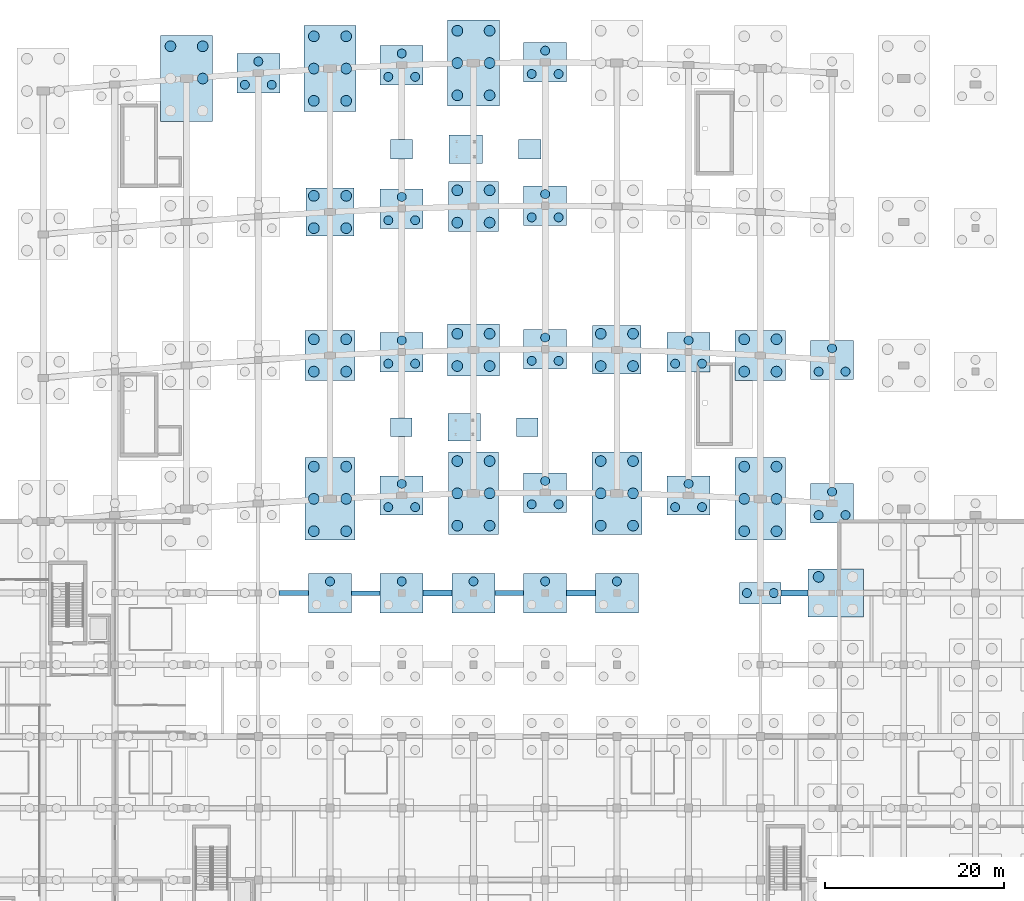
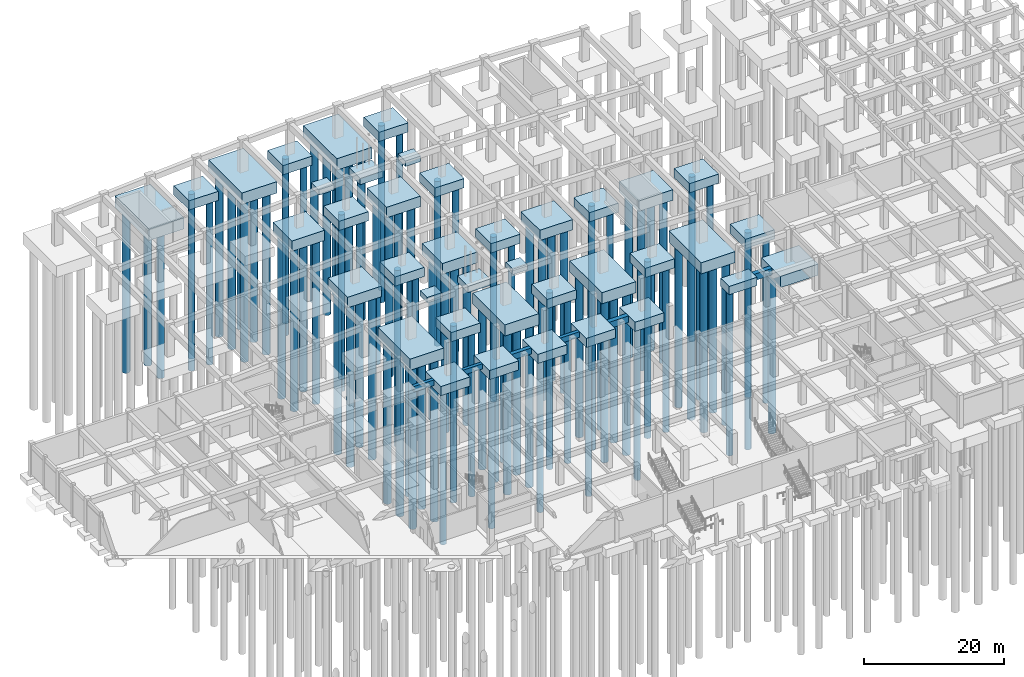
# One storey, part 5 of 45: 110 piles, 45 footings.
"""IFC4 building model written with IfcOpenShell, lengths in metres."""

import ifcopenshell
import ifcopenshell.guid

model = None  # the IFC model being written
_history = None  # IfcOwnerHistory: only IFC2X3 demands one
_inside = {}  # id of a spatial element -> (the spatial element, [elements in it])
_under = {}  # id of a project, library or spatial element -> (it, [spatial elements below it])
_declared = {}  # id of a project -> (the project, [libraries it declares])
_typed = {}  # id of a type object -> (the type object, [elements of that type])
_made_of = {}  # id of a material, layer set ... -> (it, [elements and type objects made of it])


def new_model(schema):
    """Start an empty IFC model of exactly this schema.

    Asked for "IFC4X3", IfcOpenShell would pick the latest addendum, in which some entities
    have other attributes; the version numbers below select the first issue.
    IFC2X3 requires an IfcOwnerHistory on every rooted entity: one is made here for all.
    """
    global model, _history
    if schema == "IFC4X3":
        model = ifcopenshell.file(schema_version=(4, 3, 0, 0))
    else:
        model = ifcopenshell.file(schema=schema)
    _inside.clear()
    _under.clear()
    _declared.clear()
    _typed.clear()
    _made_of.clear()
    _history = None
    if model.schema == "IFC2X3":
        org = make("IfcOrganization", Name="unknown")
        user = make(
            "IfcPersonAndOrganization",
            ThePerson=make("IfcPerson", FamilyName="unknown"),
            TheOrganization=org,
        )
        app = make(
            "IfcApplication",
            ApplicationDeveloper=org,
            Version="unknown",
            ApplicationFullName="unknown",
            ApplicationIdentifier="unknown",
        )
        _history = make(
            "IfcOwnerHistory",
            OwningUser=user,
            OwningApplication=app,
            ChangeAction="ADDED",
            CreationDate=0,
        )
    return model


def make(cls, **values):
    """One entity of the class cls with the attributes given. An attribute that is None is left unset."""
    return model.create_entity(
        cls, **{name: value for name, value in values.items() if value is not None}
    )


def rooted(cls, **values):
    """An entity with a GlobalId (a new one), such as an element, a storey or a relation."""
    return make(cls, GlobalId=ifcopenshell.guid.new(), OwnerHistory=_history, **values)


def si_unit(unit_type, name, prefix=None):
    """IfcSIUnit, for example si_unit("LENGTHUNIT", "METRE", prefix="MILLI")."""
    return make("IfcSIUnit", UnitType=unit_type, Prefix=prefix, Name=name)


def assignment(units):
    """IfcUnitAssignment: the units of a project."""
    return None if units is None else make("IfcUnitAssignment", Units=units)


def point(xyz):
    """IfcCartesianPoint."""
    return None if xyz is None else make("IfcCartesianPoint", Coordinates=xyz)


def direction(xyz):
    """IfcDirection."""
    return None if xyz is None else make("IfcDirection", DirectionRatios=xyz)


def frame(location, z_axis=None, x_axis=None):
    """IfcAxis2Placement3D, a coordinate frame: its origin and axes. An axis left out is left unset."""
    return make(
        "IfcAxis2Placement3D",
        Location=point(location),
        Axis=direction(z_axis),
        RefDirection=direction(x_axis),
    )


def frame_2d(location, x_axis=None):
    """IfcAxis2Placement2D, a coordinate frame in the plane: its origin and x axis."""
    return make(
        "IfcAxis2Placement2D", Location=point(location), RefDirection=direction(x_axis)
    )


def origin():
    """The frame at (0, 0, 0) with its axes left unset."""
    return frame((0.0, 0.0, 0.0))


def origin_2d():
    """The frame at (0, 0) in the plane with its x axis left unset."""
    return frame_2d((0.0, 0.0))


def place(relative_to, where):
    """IfcLocalPlacement: puts the frame where relative to a parent placement (None: the world)."""
    return make(
        "IfcLocalPlacement", PlacementRelTo=relative_to, RelativePlacement=where
    )


def context(
    kind, dimensions, precision=None, world=None, true_north=None, identifier=None
):
    """IfcGeometricRepresentationContext, for example the 3D "Model" context."""
    return make(
        "IfcGeometricRepresentationContext",
        ContextIdentifier=identifier,
        ContextType=kind,
        CoordinateSpaceDimension=dimensions,
        Precision=precision,
        WorldCoordinateSystem=world,
        TrueNorth=true_north,
    )


def subcontext(parent, identifier, kind, view, scale=None):
    """IfcGeometricRepresentationSubContext, for example "Body" below "Model"."""
    return make(
        "IfcGeometricRepresentationSubContext",
        ContextIdentifier=identifier,
        ContextType=kind,
        ParentContext=parent,
        TargetScale=scale,
        TargetView=view,
    )


def project(units=None, contexts=None):
    """IfcProject with its units and contexts."""
    return rooted(
        "IfcProject",
        Name="project",
        RepresentationContexts=contexts,
        UnitsInContext=assignment(units),
    )


def spatial(cls, under=None, at=None, **own):
    """A site, building, storey or space (cls), placed at a placement, below another one or the project."""
    s = rooted(cls, ObjectPlacement=at, **own)
    if under is not None:
        _under.setdefault(under.id(), (under, []))[1].append(s)
    return s


def profile(cls, at=None, kind="AREA", **sizes):
    """A parametric profile (cls). Its sizes go by their IFC names, for example OverallWidth=200.0."""
    return make(cls, ProfileType=kind, Position=at, **sizes)


def rectangle(**sizes):
    """IfcRectangleProfileDef."""
    return profile("IfcRectangleProfileDef", **sizes)


def circle(**sizes):
    """IfcCircleProfileDef."""
    return profile("IfcCircleProfileDef", **sizes)


def extrude(swept, where, along, depth):
    """IfcExtrudedAreaSolid: the profile swept, set in the frame where, extruded along a direction by depth."""
    return make(
        "IfcExtrudedAreaSolid",
        SweptArea=swept,
        Position=where,
        ExtrudedDirection=direction(along),
        Depth=depth,
    )


def shape(context_of_items, identifier, shape_type, items):
    """IfcShapeRepresentation: the items that make up one representation, for example the "Body"."""
    return make(
        "IfcShapeRepresentation",
        ContextOfItems=context_of_items,
        RepresentationIdentifier=identifier,
        RepresentationType=shape_type,
        Items=items,
    )


def material(Name=None, Category=None):
    """IfcMaterial."""
    return make("IfcMaterial", Name=Name, Category=Category)


def material_profile(
    of_material, cross_section, Name=None, Category=None, Priority=None
):
    """IfcMaterialProfile: a cross section and its material."""
    return make(
        "IfcMaterialProfile",
        Name=Name,
        Material=of_material,
        Profile=cross_section,
        Priority=Priority,
        Category=Category,
    )


def profile_set(profiles, Name=None, composite=None):
    """IfcMaterialProfileSet."""
    return make(
        "IfcMaterialProfileSet",
        Name=Name,
        MaterialProfiles=profiles,
        CompositeProfile=composite,
    )


def made_of(thing, what):
    """Note that an element or type object is made of a material, layer set ...; save() writes the relation."""
    if what is not None:
        _made_of.setdefault(what.id(), (what, []))[1].append(thing)
    return thing


def type_object(cls, material=None, **own):
    """A type object (cls), such as IfcWallType, which elements share."""
    return made_of(rooted(cls, **own), material)


def element(
    cls,
    number,
    at=None,
    inside=None,
    cuts=None,
    type_object=None,
    material=None,
    context=None,
    identifier="Body",
    shape_type=None,
    held_by="IfcProductDefinitionShape",
    body=None,
    shapes=None,
    **own,
):
    """One element of the class cls, such as IfcWall. Its Tag is "e" and its number.

    at: its placement. inside: the storey or other place that contains it. cuts: it is an
    opening in that element (IfcRelVoidsElement). A single representation is given by context,
    identifier, shape_type and body (its items); several are given by shapes. held_by: the class
    of the entity that holds the representations. save() writes the other relations.
    """
    e = rooted(cls, Tag="e%d" % number, ObjectPlacement=at, **own)
    if body is not None:
        shapes = [shape(context, identifier, shape_type, body)]
    if shapes is not None:
        e.Representation = make(held_by, Representations=shapes)
    if inside is not None:
        _inside.setdefault(inside.id(), (inside, []))[1].append(e)
    if cuts is not None:
        rooted(
            "IfcRelVoidsElement", RelatingBuildingElement=cuts, RelatedOpeningElement=e
        )
    if type_object is not None:
        _typed.setdefault(type_object.id(), (type_object, []))[1].append(e)
    return made_of(e, material)


def aggregate(whole, parts):
    """IfcRelAggregates: a whole, such as a stair, and the parts it consists of."""
    return rooted("IfcRelAggregates", RelatingObject=whole, RelatedObjects=parts)


def save(model, path):
    """Write the relations noted so far, then the file.

    IfcRelAggregates (storeys below a building ...), IfcRelContainedInSpatialStructure (elements
    in a storey), IfcRelDefinesByType, IfcRelAssociatesMaterial and IfcRelDeclares: one each for
    every whole, place, type object, material and project.
    """
    for whole, parts in _under.values():
        aggregate(whole, parts)
    for where, things in _inside.values():
        rooted(
            "IfcRelContainedInSpatialStructure",
            RelatedElements=things,
            RelatingStructure=where,
        )
    for kind, things in _typed.values():
        rooted("IfcRelDefinesByType", RelatedObjects=things, RelatingType=kind)
    for what, things in _made_of.values():
        rooted("IfcRelAssociatesMaterial", RelatedObjects=things, RelatingMaterial=what)
    for by, libraries in _declared.values():
        rooted("IfcRelDeclares", RelatingContext=by, RelatedDefinitions=libraries)
    model.write(path)


model = new_model("IFC4")

# Units and contexts
model_context = context("Model", 3, precision=1e-05, world=origin(), true_north=direction((0.0, 1.0)))
body_context = subcontext(model_context, "Body", "Model", "MODEL_VIEW")
ifc_project = project(units=[si_unit("LENGTHUNIT", "METRE"), si_unit("AREAUNIT", "SQUARE_METRE"), si_unit("VOLUMEUNIT", "CUBIC_METRE"), si_unit("PLANEANGLEUNIT", "RADIAN"), si_unit("MASSUNIT", "GRAM", prefix="KILO")], contexts=[model_context])

# Site, building, storey
site_placement = place(None, origin())
site = spatial("IfcSite", under=ifc_project, at=site_placement, CompositionType="ELEMENT")
building_placement = place(site_placement, origin())
building = spatial("IfcBuilding", under=site, at=building_placement, Name="Kenh Van Central Station", CompositionType="ELEMENT")
storey_placement = place(building_placement, frame((0.0, 0.0, -5.39990234375)))
storey = spatial("IfcBuildingStorey", under=building, at=storey_placement, Name="B1", CompositionType="ELEMENT", Elevation=-5.39990234375)

# Footings
ifc_material = material(Name="Concrete C40/50", Category="concrete")
ifc_material_profile_1 = material_profile(ifc_material, rectangle(XDim=0.5, YDim=0.89990234375, at=origin_2d()), Name="RC 500x900")
ifc_profile_set_1 = profile_set([ifc_material_profile_1], Name="Concrete C40/50")
footing_type_1 = type_object("IfcFootingType", Name="FBM-500x900", PredefinedType="FOOTING_BEAM", material=ifc_profile_set_1)
footing_1_placement = place(storey_placement, frame((66.39990234375, 56.0, -0.85009765625), z_axis=(1.0, 0.0, 0.0), x_axis=(0.0, 1.0, 0.0)))
element("IfcFooting", 1, at=footing_1_placement, inside=storey, type_object=footing_type_1, Name="Ground tie beam 094", PredefinedType="FOOTING_BEAM", context=body_context, shape_type="SweptSolid", body=[
    extrude(rectangle(XDim=0.5, YDim=0.89990234375, at=origin_2d()), origin(), (0.0, 0.0, 1.0), 3.2001953125),
])
ifc_material_profile_2 = material_profile(ifc_material, rectangle(XDim=0.550048828125, YDim=0.949951171875, at=origin_2d()), Name="RC 550x950")
ifc_profile_set_2 = profile_set([ifc_material_profile_2], Name="Concrete C40/50")
footing_type_2 = type_object("IfcFootingType", Name="FBM-550x950", PredefinedType="FOOTING_BEAM", material=ifc_profile_set_2)
footing_2_placement = place(storey_placement, frame((58.300048828125, 56.0, -0.875), z_axis=(1.0, 0.0, 0.0), x_axis=(0.0, 1.0, 0.0)))
element("IfcFooting", 2, at=footing_2_placement, inside=storey, type_object=footing_type_2, Name="Ground tie beam 088", PredefinedType="FOOTING_BEAM", context=body_context, shape_type="SweptSolid", body=[
    extrude(rectangle(XDim=0.550048828125, YDim=0.949951171875, at=origin_2d()), origin(), (0.0, 0.0, 1.0), 3.300048828125),
])
footing_3_placement = place(storey_placement, frame((82.39990234375, 56.0, -0.875), z_axis=(1.0, 0.0, 0.0), x_axis=(0.0, 1.0, 0.0)))
element("IfcFooting", 3, at=footing_3_placement, inside=storey, type_object=footing_type_2, Name="Ground tie beam 098", PredefinedType="FOOTING_BEAM", context=body_context, shape_type="SweptSolid", body=[
    extrude(rectangle(XDim=0.550048828125, YDim=0.949951171875, at=origin_2d()), origin(), (0.0, 0.0, 1.0), 3.2001953125),
])
ifc_material_profile_3 = material_profile(ifc_material, rectangle(XDim=0.64990234375, YDim=1.050048828125, at=origin_2d()), Name="RC 650x1050")
ifc_profile_set_3 = profile_set([ifc_material_profile_3], Name="Concrete C40/50")
footing_type_3 = type_object("IfcFootingType", Name="FBM-650x1050", PredefinedType="FOOTING_BEAM", material=ifc_profile_set_3)
footing_4_placement = place(storey_placement, frame((74.39990234375, 56.0, -0.925048828125), z_axis=(1.0, 0.0, 0.0), x_axis=(0.0, 1.0, 0.0)))
element("IfcFooting", 4, at=footing_4_placement, inside=storey, type_object=footing_type_3, Name="Ground tie beam 096", PredefinedType="FOOTING_BEAM", context=body_context, shape_type="SweptSolid", body=[
    extrude(rectangle(XDim=0.64990234375, YDim=1.050048828125, at=origin_2d()), origin(), (0.0, 0.0, 1.0), 3.2001953125),
])
ifc_material_profile_4 = material_profile(ifc_material, rectangle(XDim=0.699951171875, YDim=1.14990234375, at=origin_2d()), Name="RC 700x1150")
ifc_profile_set_4 = profile_set([ifc_material_profile_4], Name="Concrete C40/50")
footing_type_4 = type_object("IfcFootingType", Name="FBM-700x1150", PredefinedType="FOOTING_BEAM", material=ifc_profile_set_4)
footing_5_placement = place(storey_placement, frame((114.300048828125, 56.0, -0.97509765625), z_axis=(1.0, 0.0, 0.0), x_axis=(0.0, 1.0, 0.0)))
element("IfcFooting", 5, at=footing_5_placement, inside=storey, type_object=footing_type_4, Name="Ground tie beam 090", PredefinedType="FOOTING_BEAM", context=body_context, shape_type="SweptSolid", body=[
    extrude(rectangle(XDim=0.699951171875, YDim=1.14990234375, at=origin_2d()), origin(), (0.0, 0.0, 1.0), 3.0),
])
footing_6_placement = place(storey_placement, frame((90.39990234375, 56.0, -0.97509765625), z_axis=(1.0, 0.0, 0.0), x_axis=(0.0, 1.0, 0.0)))
element("IfcFooting", 6, at=footing_6_placement, inside=storey, type_object=footing_type_4, Name="Ground tie beam 100", PredefinedType="FOOTING_BEAM", context=body_context, shape_type="SweptSolid", body=[
    extrude(rectangle(XDim=0.699951171875, YDim=1.14990234375, at=origin_2d()), origin(), (0.0, 0.0, 1.0), 3.2001953125),
])
footing_type_5 = type_object("IfcFootingType", Name="FCAP-2P-4600x2400x1450", PredefinedType="PILE_CAP", material=ifc_material)
footing_7_placement = place(storey_placement, frame((112.0, 56.0, -1.85009765625), z_axis=(0.0, 0.0, 1.0), x_axis=(1.0, 0.0, 0.0)))
element("IfcFooting", 7, at=footing_7_placement, inside=storey, type_object=footing_type_5, Name="Foundation FDN-177", PredefinedType="PILE_CAP", context=body_context, shape_type="SweptSolid", body=[
    extrude(rectangle(XDim=4.60009765625, YDim=2.39990234375, at=origin_2d()), origin(), (0.0, 0.0, 1.0), 1.449951171875),
])
footing_type_6 = type_object("IfcFootingType", Name="FCAP-3P-4800x4400x1600", PredefinedType="PILE_CAP", material=ifc_material)
for number, where, z_axis, x_axis, name in (
    (8, (56.0, 113.9951171875, -2.000244140625), (0.0, 0.0, 1.0), (1.0, 0.0, 0.0), "Foundation FDN-016"),
    (9, (72.0, 66.883056640625, -2.000244140625), (0.0, 0.0, 1.0), (1.0, 0.0, 0.0), "Foundation FDN-021"),
    (10, (72.0, 82.883056640625, -2.000244140625), (0.0, 0.0, 1.0), (1.0, 0.0, 0.0), "Foundation FDN-022"),
    (11, (72.0, 98.883056640625, -2.000244140625), (0.0, 0.0, 1.0), (1.0, 0.0, 0.0), "Foundation FDN-023"),
    (12, (72.0, 114.883056640625, -2.000244140625), (0.0, 0.0, 1.0), (1.0, 0.0, 0.0), "Foundation FDN-024"),
    (13, (88.0, 67.199951171875, -2.000244140625), (0.0, 0.0, 1.0), (1.0, 0.0, 0.0), "Foundation FDN-029"),
    (14, (88.0, 83.199951171875, -2.000244140625), (0.0, 0.0, 1.0), (1.0, 0.0, 0.0), "Foundation FDN-030"),
    (15, (88.0, 99.199951171875, -2.000244140625), (0.0, 0.0, 1.0), (1.0, 0.0, 0.0), "Foundation FDN-031"),
    (16, (88.0, 115.199951171875, -2.000244140625), (0.0, 0.0, 1.0), (1.0, 0.0, 0.0), "Foundation FDN-032"),
    (17, (104.0, 66.883056640625, -2.000244140625), (0.0, 0.0, 1.0), (1.0, 0.0, 0.0), "Foundation FDN-037"),
    (18, (104.0, 82.883056640625, -2.000244140625), (0.0, 0.0, 1.0), (1.0, 0.0, 0.0), "Foundation FDN-038"),
    (19, (120.0, 65.9951171875, -2.000244140625), (0.0, 0.0, 1.0), (1.0, 0.0, 0.0), "Foundation FDN-045"),
    (20, (120.0, 81.9951171875, -2.000244140625), (0.0, 0.0, 1.0), (1.0, 0.0, 0.0), "Foundation FDN-046"),
    (21, (64.0, 56.0, -2.000244140625), (0.0, 0.0, 1.0), (1.0, 0.0, 0.0), "Foundation FDN-181"),
    (22, (72.0, 56.0, -2.000244140625), (0.0, 0.0, 1.0), (1.0, 0.0, 0.0), "Foundation FDN-183"),
    (23, (80.0, 56.0, -2.000244140625), (0.0, 0.0, 1.0), (1.0, 0.0, 0.0), "Foundation FDN-185"),
    (24, (88.0, 56.0, -2.000244140625), (0.0, 0.0, 1.0), (1.0, 0.0, 0.0), "Foundation FDN-187"),
    (25, (96.0, 56.0, -2.000244140625), (0.0, 0.0, 1.0), (1.0, 0.0, 0.0), "Foundation FDN-189"),
):
    element("IfcFooting", number, at=place(storey_placement, frame(where, z_axis=z_axis, x_axis=x_axis)), inside=storey, type_object=footing_type_6, Name=name, PredefinedType="PILE_CAP", context=body_context, shape_type="SweptSolid", body=[
        extrude(rectangle(XDim=4.800048828125, YDim=4.39990234375, at=origin_2d()), origin(), (0.0, 0.0, 1.0), 1.60009765625),
    ])
footing_type_7 = type_object("IfcFootingType", Name="FCAP-4P-5400x5400x1800", PredefinedType="PILE_CAP", material=ifc_material)
for number, where, z_axis, x_axis, name in (
    (26, (64.0, 98.501953125, -2.2001953125), (0.0, 0.0, 1.0), (1.0, 0.0, 0.0), "Foundation FDN-019"),
    (27, (96.0, 83.119873046875, -2.2001953125), (0.0, 0.0, 1.0), (1.0, 0.0, 0.0), "Foundation FDN-034"),
):
    element("IfcFooting", number, at=place(storey_placement, frame(where, z_axis=z_axis, x_axis=x_axis)), inside=storey, type_object=footing_type_7, Name=name, PredefinedType="PILE_CAP", context=body_context, shape_type="SweptSolid", body=[
        extrude(rectangle(XDim=5.39990234375, YDim=5.39990234375, at=origin_2d()), origin(), (0.0, 0.0, 1.0), 1.800048828125),
    ])
footing_type_8 = type_object("IfcFootingType", Name="FCAP-4P-5600x5600x1850", PredefinedType="PILE_CAP", material=ifc_material)
for number, where, z_axis, x_axis, name in (
    (28, (64.0, 82.501953125, -2.250244140625), (0.0, 0.0, 1.0), (1.0, 0.0, 0.0), "Foundation FDN-018"),
    (29, (80.0, 99.119873046875, -2.250244140625), (0.0, 0.0, 1.0), (1.0, 0.0, 0.0), "Foundation FDN-027"),
    (30, (112.0, 82.501953125, -2.250244140625), (0.0, 0.0, 1.0), (1.0, 0.0, 0.0), "Foundation FDN-042"),
):
    element("IfcFooting", number, at=place(storey_placement, frame(where, z_axis=z_axis, x_axis=x_axis)), inside=storey, type_object=footing_type_8, Name=name, PredefinedType="PILE_CAP", context=body_context, shape_type="SweptSolid", body=[
        extrude(rectangle(XDim=5.60009765625, YDim=5.60009765625, at=origin_2d()), origin(), (0.0, 0.0, 1.0), 1.85009765625),
    ])
footing_type_9 = type_object("IfcFootingType", Name="FCAP-4P-5800x5800x1900", PredefinedType="PILE_CAP", material=ifc_material)
footing_8_placement = place(storey_placement, frame((80.0, 83.119873046875, -2.300048828125), z_axis=(0.0, 0.0, 1.0), x_axis=(1.0, 0.0, 0.0)))
element("IfcFooting", 31, at=footing_8_placement, inside=storey, type_object=footing_type_9, Name="Foundation FDN-026", PredefinedType="PILE_CAP", context=body_context, shape_type="SweptSolid", body=[
    extrude(rectangle(XDim=5.800048828125, YDim=5.800048828125, at=origin_2d()), origin(), (0.0, 0.0, 1.0), 1.89990234375),
])
footing_type_10 = type_object("IfcFootingType", Name="FCAP-4P-6200x5400x1950", PredefinedType="PILE_CAP", material=ifc_material)
footing_9_placement = place(storey_placement, frame((120.39990234375, 56.0, -2.35009765625), z_axis=(0.0, 0.0, 1.0), x_axis=(1.0, 0.0, 0.0)))
element("IfcFooting", 32, at=footing_9_placement, inside=storey, type_object=footing_type_10, Name="Foundation FDN-179", PredefinedType="PILE_CAP", context=body_context, shape_type="SweptSolid", body=[
    extrude(rectangle(XDim=6.199951171875, YDim=5.39990234375, at=origin_2d()), origin(), (0.0, 0.0, 1.0), 1.949951171875),
])
footing_type_11 = type_object("IfcFootingType", Name="FCAP-6P-9200x5600x1950", PredefinedType="PILE_CAP", material=ifc_material)
for number, where, z_axis, x_axis, name in (
    (33, (64.0, 66.501953125, -2.35009765625), (0.0, 0.0, 1.0), (0.0, 1.0, 0.0), "Foundation FDN-017"),
    (34, (80.0, 67.119873046875, -2.35009765625), (0.0, 0.0, 1.0), (0.0, 1.0, 0.0), "Foundation FDN-025"),
    (35, (96.0, 67.119873046875, -2.35009765625), (0.0, 0.0, 1.0), (0.0, 1.0, 0.0), "Foundation FDN-033"),
    (36, (112.0, 66.501953125, -2.35009765625), (0.0, 0.0, 1.0), (0.0, 1.0, 0.0), "Foundation FDN-041"),
):
    element("IfcFooting", number, at=place(storey_placement, frame(where, z_axis=z_axis, x_axis=x_axis)), inside=storey, type_object=footing_type_11, Name=name, PredefinedType="PILE_CAP", context=body_context, shape_type="SweptSolid", body=[
        extrude(rectangle(XDim=9.199951171875, YDim=5.60009765625, at=origin_2d()), origin(), (0.0, 0.0, 1.0), 1.949951171875),
    ])
footing_type_12 = type_object("IfcFootingType", Name="FCAP-6P-9600x5800x2000", PredefinedType="PILE_CAP", material=ifc_material)
for number, where, z_axis, x_axis, name in (
    (37, (48.0, 113.388427734375, -2.400146484375), (0.0, 0.0, 1.0), (0.0, 1.0, 0.0), "Foundation FDN-012"),
    (38, (64.0, 114.501953125, -2.400146484375), (0.0, 0.0, 1.0), (0.0, 1.0, 0.0), "Foundation FDN-020"),
    (39, (80.0, 115.119873046875, -2.400146484375), (0.0, 0.0, 1.0), (0.0, 1.0, 0.0), "Foundation FDN-028"),
):
    element("IfcFooting", number, at=place(storey_placement, frame(where, z_axis=z_axis, x_axis=x_axis)), inside=storey, type_object=footing_type_12, Name=name, PredefinedType="PILE_CAP", context=body_context, shape_type="SweptSolid", body=[
        extrude(rectangle(XDim=9.60009765625, YDim=5.800048828125, at=origin_2d()), origin(), (0.0, 0.0, 1.0), 2.0),
    ])
footing_type_13 = type_object("IfcFootingType", Name="FPAD-2600x2600x950", PredefinedType="PAD_FOOTING", material=ifc_material)
for number, where, z_axis, x_axis, name in (
    (40, (71.925048828125, 74.5, -0.9501953125), (0.0, 0.0, 1.0), (1.0, 0.0, 0.0), "B1 stair mid-landing combined footing ST-PUB5A"),
    (41, (86.02490234375, 74.5, -0.9501953125), (0.0, 0.0, 1.0), (1.0, 0.0, 0.0), "B1 stair mid-landing combined footing ST-PUB5B"),
):
    element("IfcFooting", number, at=place(storey_placement, frame(where, z_axis=z_axis, x_axis=x_axis)), inside=storey, type_object=footing_type_13, Name=name, PredefinedType="PAD_FOOTING", context=body_context, shape_type="SweptSolid", body=[
        extrude(rectangle(XDim=2.39990234375, YDim=2.030029296875, at=origin_2d()), origin(), (0.0, 0.0, 1.0), 0.949951171875),
    ])
for number, where, z_axis, x_axis, name in (
    (42, (71.97509765625, 105.5, -0.9501953125), (0.0, 0.0, 1.0), (1.0, 0.0, 0.0), "B1 stair mid-landing combined footing ST-PUB6A"),
    (43, (86.27490234375, 105.5, -0.9501953125), (0.0, 0.0, 1.0), (1.0, 0.0, 0.0), "B1 stair mid-landing combined footing ST-PUB6B"),
):
    element("IfcFooting", number, at=place(storey_placement, frame(where, z_axis=z_axis, x_axis=x_axis)), inside=storey, type_object=footing_type_13, Name=name, PredefinedType="PAD_FOOTING", context=body_context, shape_type="SweptSolid", body=[
        extrude(rectangle(XDim=2.5, YDim=2.1298828125, at=origin_2d()), origin(), (0.0, 0.0, 1.0), 0.949951171875),
    ])
footing_type_14 = type_object("IfcFootingType", Name="FPAD-3200x3200x1100", PredefinedType="PAD_FOOTING", material=ifc_material)
footing_10_placement = place(storey_placement, frame((78.97509765625, 74.5, -1.10009765625), z_axis=(0.0, 0.0, 1.0), x_axis=(1.0, 0.0, 0.0)))
element("IfcFooting", 44, at=footing_10_placement, inside=storey, type_object=footing_type_14, Name="B1 transfer landing combined footing ST-PUB5", PredefinedType="PAD_FOOTING", context=body_context, shape_type="SweptSolid", body=[
    extrude(rectangle(XDim=3.64990234375, YDim=3.050048828125, at=origin_2d()), origin(), (0.0, 0.0, 1.0), 1.10009765625),
])
footing_11_placement = place(storey_placement, frame((79.125, 105.5, -1.10009765625), z_axis=(0.0, 0.0, 1.0), x_axis=(1.0, 0.0, 0.0)))
element("IfcFooting", 45, at=footing_11_placement, inside=storey, type_object=footing_type_14, Name="B1 transfer landing combined footing ST-PUB6", PredefinedType="PAD_FOOTING", context=body_context, shape_type="SweptSolid", body=[
    extrude(rectangle(XDim=3.75, YDim=3.14990234375, at=origin_2d()), origin(), (0.0, 0.0, 1.0), 1.10009765625),
])

# Piles
ifc_material_profile_5 = material_profile(ifc_material, circle(Radius=0.5, at=origin_2d()), Name="PILE D1000")
ifc_profile_set_5 = profile_set([ifc_material_profile_5], Name="Concrete C40/50")
pile_type_1 = type_object("IfcPileType", Name="PILE-BORED-1000", PredefinedType="BORED", material=ifc_profile_set_5)
for number, where, z_axis, x_axis, name in (
    (46, (54.5, 112.6953125, -1.900146484375), (0.0, 0.0, -1.0), (1.0, 0.0, 0.0), "Bored pile 0062"),
    (47, (57.5, 112.6953125, -1.900146484375), (0.0, 0.0, -1.0), (1.0, 0.0, 0.0), "Bored pile 0063"),
    (48, (56.0, 115.295166015625, -1.900146484375), (0.0, 0.0, -1.0), (1.0, 0.0, 0.0), "Bored pile 0064"),
    (49, (70.5, 65.5830078125, -1.900146484375), (0.0, 0.0, -1.0), (1.0, 0.0, 0.0), "Bored pile 0085"),
    (50, (73.5, 65.5830078125, -1.900146484375), (0.0, 0.0, -1.0), (1.0, 0.0, 0.0), "Bored pile 0086"),
    (51, (72.0, 68.18310546875, -1.900146484375), (0.0, 0.0, -1.0), (1.0, 0.0, 0.0), "Bored pile 0087"),
    (52, (70.5, 81.5830078125, -1.900146484375), (0.0, 0.0, -1.0), (1.0, 0.0, 0.0), "Bored pile 0088"),
    (53, (73.5, 81.5830078125, -1.900146484375), (0.0, 0.0, -1.0), (1.0, 0.0, 0.0), "Bored pile 0089"),
    (54, (72.0, 84.18310546875, -1.900146484375), (0.0, 0.0, -1.0), (1.0, 0.0, 0.0), "Bored pile 0090"),
    (55, (70.5, 97.5830078125, -1.900146484375), (0.0, 0.0, -1.0), (1.0, 0.0, 0.0), "Bored pile 0091"),
    (56, (73.5, 97.5830078125, -1.900146484375), (0.0, 0.0, -1.0), (1.0, 0.0, 0.0), "Bored pile 0092"),
    (57, (72.0, 100.18310546875, -1.900146484375), (0.0, 0.0, -1.0), (1.0, 0.0, 0.0), "Bored pile 0093"),
    (58, (70.5, 113.5830078125, -1.900146484375), (0.0, 0.0, -1.0), (1.0, 0.0, 0.0), "Bored pile 0094"),
    (59, (73.5, 113.5830078125, -1.900146484375), (0.0, 0.0, -1.0), (1.0, 0.0, 0.0), "Bored pile 0095"),
    (60, (72.0, 116.18310546875, -1.900146484375), (0.0, 0.0, -1.0), (1.0, 0.0, 0.0), "Bored pile 0096"),
    (61, (86.5, 65.89990234375, -1.900146484375), (0.0, 0.0, -1.0), (1.0, 0.0, 0.0), "Bored pile 0117"),
    (62, (89.5, 65.89990234375, -1.900146484375), (0.0, 0.0, -1.0), (1.0, 0.0, 0.0), "Bored pile 0118"),
    (63, (88.0, 68.5, -1.900146484375), (0.0, 0.0, -1.0), (1.0, 0.0, 0.0), "Bored pile 0119"),
    (64, (86.5, 81.89990234375, -1.900146484375), (0.0, 0.0, -1.0), (1.0, 0.0, 0.0), "Bored pile 0120"),
    (65, (89.5, 81.89990234375, -1.900146484375), (0.0, 0.0, -1.0), (1.0, 0.0, 0.0), "Bored pile 0121"),
    (66, (88.0, 84.5, -1.900146484375), (0.0, 0.0, -1.0), (1.0, 0.0, 0.0), "Bored pile 0122"),
    (67, (86.5, 97.89990234375, -1.900146484375), (0.0, 0.0, -1.0), (1.0, 0.0, 0.0), "Bored pile 0123"),
    (68, (89.5, 97.89990234375, -1.900146484375), (0.0, 0.0, -1.0), (1.0, 0.0, 0.0), "Bored pile 0124"),
    (69, (88.0, 100.5, -1.900146484375), (0.0, 0.0, -1.0), (1.0, 0.0, 0.0), "Bored pile 0125"),
    (70, (86.5, 113.89990234375, -1.900146484375), (0.0, 0.0, -1.0), (1.0, 0.0, 0.0), "Bored pile 0126"),
    (71, (89.5, 113.89990234375, -1.900146484375), (0.0, 0.0, -1.0), (1.0, 0.0, 0.0), "Bored pile 0127"),
    (72, (88.0, 116.5, -1.900146484375), (0.0, 0.0, -1.0), (1.0, 0.0, 0.0), "Bored pile 0128"),
    (73, (102.5, 65.5830078125, -1.900146484375), (0.0, 0.0, -1.0), (1.0, 0.0, 0.0), "Bored pile 0149"),
    (74, (105.5, 65.5830078125, -1.900146484375), (0.0, 0.0, -1.0), (1.0, 0.0, 0.0), "Bored pile 0150"),
    (75, (104.0, 68.18310546875, -1.900146484375), (0.0, 0.0, -1.0), (1.0, 0.0, 0.0), "Bored pile 0151"),
    (76, (102.5, 81.5830078125, -1.900146484375), (0.0, 0.0, -1.0), (1.0, 0.0, 0.0), "Bored pile 0152"),
    (77, (105.5, 81.5830078125, -1.900146484375), (0.0, 0.0, -1.0), (1.0, 0.0, 0.0), "Bored pile 0153"),
    (78, (104.0, 84.18310546875, -1.900146484375), (0.0, 0.0, -1.0), (1.0, 0.0, 0.0), "Bored pile 0154"),
    (79, (118.5, 64.6953125, -1.900146484375), (0.0, 0.0, -1.0), (1.0, 0.0, 0.0), "Bored pile 0181"),
    (80, (121.5, 64.6953125, -1.900146484375), (0.0, 0.0, -1.0), (1.0, 0.0, 0.0), "Bored pile 0182"),
    (81, (120.0, 67.295166015625, -1.900146484375), (0.0, 0.0, -1.0), (1.0, 0.0, 0.0), "Bored pile 0183"),
    (82, (118.5, 80.6953125, -1.900146484375), (0.0, 0.0, -1.0), (1.0, 0.0, 0.0), "Bored pile 0184"),
    (83, (121.5, 80.6953125, -1.900146484375), (0.0, 0.0, -1.0), (1.0, 0.0, 0.0), "Bored pile 0185"),
    (84, (120.0, 83.295166015625, -1.900146484375), (0.0, 0.0, -1.0), (1.0, 0.0, 0.0), "Bored pile 0186"),
):
    element("IfcPile", number, at=place(storey_placement, frame(where, z_axis=z_axis, x_axis=x_axis)), inside=storey, type_object=pile_type_1, Name=name, PredefinedType="BORED", context=body_context, shape_type="SweptSolid", body=[
        extrude(circle(Radius=0.5, at=origin_2d()), origin(), (0.0, 0.0, 1.0), 28.699951171875),
    ])
for number, where, z_axis, x_axis, name in (
    (85, (110.5, 56.0, -1.75), (0.0, 0.0, -1.0), (1.0, 0.0, 0.0), "Bored pile 0406"),
    (86, (113.5, 56.0, -1.75), (0.0, 0.0, -1.0), (1.0, 0.0, 0.0), "Bored pile 0407"),
):
    element("IfcPile", number, at=place(storey_placement, frame(where, z_axis=z_axis, x_axis=x_axis)), inside=storey, type_object=pile_type_1, Name=name, PredefinedType="BORED", context=body_context, shape_type="SweptSolid", body=[
        extrude(circle(Radius=0.5, at=origin_2d()), origin(), (0.0, 0.0, 1.0), 28.85009765625),
    ])
for number, where, z_axis, x_axis, name in (
    (87, (64.0, 57.300048828125, -1.900146484375), (0.0, 0.0, -1.0), (1.0, 0.0, 0.0), "Bored pile 0421"),
    (88, (72.0, 57.300048828125, -1.900146484375), (0.0, 0.0, -1.0), (1.0, 0.0, 0.0), "Bored pile 0427"),
    (89, (80.0, 57.300048828125, -1.900146484375), (0.0, 0.0, -1.0), (1.0, 0.0, 0.0), "Bored pile 0433"),
    (90, (88.0, 57.300048828125, -1.900146484375), (0.0, 0.0, -1.0), (1.0, 0.0, 0.0), "Bored pile 0439"),
    (91, (96.0, 57.300048828125, -1.900146484375), (0.0, 0.0, -1.0), (1.0, 0.0, 0.0), "Bored pile 0445"),
):
    element("IfcPile", number, at=place(storey_placement, frame(where, z_axis=z_axis, x_axis=x_axis)), inside=storey, type_object=pile_type_1, Name=name, PredefinedType="BORED", context=body_context, shape_type="SweptSolid", body=[
        extrude(circle(Radius=0.5, at=origin_2d()), origin(), (0.0, 0.0, 1.0), 28.699951171875),
    ])
ifc_material_profile_6 = material_profile(ifc_material, circle(Radius=0.60009765625, at=origin_2d()), Name="PILE D1200")
ifc_profile_set_6 = profile_set([ifc_material_profile_6], Name="Concrete C40/50")
pile_type_2 = type_object("IfcPileType", Name="PILE-BORED-1200", PredefinedType="BORED", material=ifc_profile_set_6)
for number, where, z_axis, x_axis, name in (
    (92, (46.199951171875, 116.98828125, -2.300048828125), (0.0, 0.0, -1.0), (1.0, 0.0, 0.0), "Bored pile 0049"),
    (93, (49.800048828125, 113.388427734375, -2.300048828125), (0.0, 0.0, -1.0), (1.0, 0.0, 0.0), "Bored pile 0051"),
    (94, (49.800048828125, 116.98828125, -2.300048828125), (0.0, 0.0, -1.0), (1.0, 0.0, 0.0), "Bored pile 0052"),
):
    element("IfcPile", number, at=place(storey_placement, frame(where, z_axis=z_axis, x_axis=x_axis)), inside=storey, type_object=pile_type_2, Name=name, PredefinedType="BORED", context=body_context, shape_type="SweptSolid", body=[
        extrude(circle(Radius=0.60009765625, at=origin_2d()), origin(), (0.0, 0.0, 1.0), 28.300048828125),
    ])
for number, where, z_axis, x_axis, name in (
    (95, (62.199951171875, 62.90185546875, -2.25), (0.0, 0.0, -1.0), (1.0, 0.0, 0.0), "Bored pile 0065"),
    (96, (62.199951171875, 66.501953125, -2.25), (0.0, 0.0, -1.0), (1.0, 0.0, 0.0), "Bored pile 0066"),
    (97, (62.199951171875, 70.101806640625, -2.25), (0.0, 0.0, -1.0), (1.0, 0.0, 0.0), "Bored pile 0067"),
    (98, (65.800048828125, 62.90185546875, -2.25), (0.0, 0.0, -1.0), (1.0, 0.0, 0.0), "Bored pile 0068"),
    (99, (65.800048828125, 66.501953125, -2.25), (0.0, 0.0, -1.0), (1.0, 0.0, 0.0), "Bored pile 0069"),
    (100, (65.800048828125, 70.101806640625, -2.25), (0.0, 0.0, -1.0), (1.0, 0.0, 0.0), "Bored pile 0070"),
):
    element("IfcPile", number, at=place(storey_placement, frame(where, z_axis=z_axis, x_axis=x_axis)), inside=storey, type_object=pile_type_2, Name=name, PredefinedType="BORED", context=body_context, shape_type="SweptSolid", body=[
        extrude(circle(Radius=0.60009765625, at=origin_2d()), origin(), (0.0, 0.0, 1.0), 28.35009765625),
    ])
for number, where, z_axis, x_axis, name in (
    (101, (62.199951171875, 80.701904296875, -2.150146484375), (0.0, 0.0, -1.0), (1.0, 0.0, 0.0), "Bored pile 0071"),
    (102, (62.199951171875, 84.302001953125, -2.150146484375), (0.0, 0.0, -1.0), (1.0, 0.0, 0.0), "Bored pile 0072"),
    (103, (65.800048828125, 80.701904296875, -2.150146484375), (0.0, 0.0, -1.0), (1.0, 0.0, 0.0), "Bored pile 0073"),
    (104, (65.800048828125, 84.302001953125, -2.150146484375), (0.0, 0.0, -1.0), (1.0, 0.0, 0.0), "Bored pile 0074"),
):
    element("IfcPile", number, at=place(storey_placement, frame(where, z_axis=z_axis, x_axis=x_axis)), inside=storey, type_object=pile_type_2, Name=name, PredefinedType="BORED", context=body_context, shape_type="SweptSolid", body=[
        extrude(circle(Radius=0.60009765625, at=origin_2d()), origin(), (0.0, 0.0, 1.0), 28.449951171875),
    ])
for number, where, z_axis, x_axis, name in (
    (105, (62.199951171875, 96.701904296875, -2.10009765625), (0.0, 0.0, -1.0), (1.0, 0.0, 0.0), "Bored pile 0075"),
    (106, (62.199951171875, 100.302001953125, -2.10009765625), (0.0, 0.0, -1.0), (1.0, 0.0, 0.0), "Bored pile 0076"),
    (107, (65.800048828125, 96.701904296875, -2.10009765625), (0.0, 0.0, -1.0), (1.0, 0.0, 0.0), "Bored pile 0077"),
    (108, (65.800048828125, 100.302001953125, -2.10009765625), (0.0, 0.0, -1.0), (1.0, 0.0, 0.0), "Bored pile 0078"),
):
    element("IfcPile", number, at=place(storey_placement, frame(where, z_axis=z_axis, x_axis=x_axis)), inside=storey, type_object=pile_type_2, Name=name, PredefinedType="BORED", context=body_context, shape_type="SweptSolid", body=[
        extrude(circle(Radius=0.60009765625, at=origin_2d()), origin(), (0.0, 0.0, 1.0), 28.5),
    ])
for number, where, z_axis, x_axis, name in (
    (109, (62.199951171875, 110.90185546875, -2.300048828125), (0.0, 0.0, -1.0), (1.0, 0.0, 0.0), "Bored pile 0079"),
    (110, (62.199951171875, 114.501953125, -2.300048828125), (0.0, 0.0, -1.0), (1.0, 0.0, 0.0), "Bored pile 0080"),
    (111, (62.199951171875, 118.101806640625, -2.300048828125), (0.0, 0.0, -1.0), (1.0, 0.0, 0.0), "Bored pile 0081"),
    (112, (65.800048828125, 110.90185546875, -2.300048828125), (0.0, 0.0, -1.0), (1.0, 0.0, 0.0), "Bored pile 0082"),
    (113, (65.800048828125, 114.501953125, -2.300048828125), (0.0, 0.0, -1.0), (1.0, 0.0, 0.0), "Bored pile 0083"),
    (114, (65.800048828125, 118.101806640625, -2.300048828125), (0.0, 0.0, -1.0), (1.0, 0.0, 0.0), "Bored pile 0084"),
):
    element("IfcPile", number, at=place(storey_placement, frame(where, z_axis=z_axis, x_axis=x_axis)), inside=storey, type_object=pile_type_2, Name=name, PredefinedType="BORED", context=body_context, shape_type="SweptSolid", body=[
        extrude(circle(Radius=0.60009765625, at=origin_2d()), origin(), (0.0, 0.0, 1.0), 28.300048828125),
    ])
for number, where, z_axis, x_axis, name in (
    (115, (78.199951171875, 63.519775390625, -2.25), (0.0, 0.0, -1.0), (1.0, 0.0, 0.0), "Bored pile 0097"),
    (116, (78.199951171875, 67.119873046875, -2.25), (0.0, 0.0, -1.0), (1.0, 0.0, 0.0), "Bored pile 0098"),
    (117, (78.199951171875, 70.7197265625, -2.25), (0.0, 0.0, -1.0), (1.0, 0.0, 0.0), "Bored pile 0099"),
    (118, (81.800048828125, 63.519775390625, -2.25), (0.0, 0.0, -1.0), (1.0, 0.0, 0.0), "Bored pile 0100"),
    (119, (81.800048828125, 67.119873046875, -2.25), (0.0, 0.0, -1.0), (1.0, 0.0, 0.0), "Bored pile 0101"),
    (120, (81.800048828125, 70.7197265625, -2.25), (0.0, 0.0, -1.0), (1.0, 0.0, 0.0), "Bored pile 0102"),
):
    element("IfcPile", number, at=place(storey_placement, frame(where, z_axis=z_axis, x_axis=x_axis)), inside=storey, type_object=pile_type_2, Name=name, PredefinedType="BORED", context=body_context, shape_type="SweptSolid", body=[
        extrude(circle(Radius=0.60009765625, at=origin_2d()), origin(), (0.0, 0.0, 1.0), 28.35009765625),
    ])
for number, where, z_axis, x_axis, name in (
    (121, (78.199951171875, 81.31982421875, -2.2001953125), (0.0, 0.0, -1.0), (1.0, 0.0, 0.0), "Bored pile 0103"),
    (122, (78.199951171875, 84.919921875, -2.2001953125), (0.0, 0.0, -1.0), (1.0, 0.0, 0.0), "Bored pile 0104"),
    (123, (81.800048828125, 81.31982421875, -2.2001953125), (0.0, 0.0, -1.0), (1.0, 0.0, 0.0), "Bored pile 0105"),
    (124, (81.800048828125, 84.919921875, -2.2001953125), (0.0, 0.0, -1.0), (1.0, 0.0, 0.0), "Bored pile 0106"),
):
    element("IfcPile", number, at=place(storey_placement, frame(where, z_axis=z_axis, x_axis=x_axis)), inside=storey, type_object=pile_type_2, Name=name, PredefinedType="BORED", context=body_context, shape_type="SweptSolid", body=[
        extrude(circle(Radius=0.60009765625, at=origin_2d()), origin(), (0.0, 0.0, 1.0), 28.39990234375),
    ])
for number, where, z_axis, x_axis, name in (
    (125, (78.199951171875, 97.31982421875, -2.150146484375), (0.0, 0.0, -1.0), (1.0, 0.0, 0.0), "Bored pile 0107"),
    (126, (78.199951171875, 100.919921875, -2.150146484375), (0.0, 0.0, -1.0), (1.0, 0.0, 0.0), "Bored pile 0108"),
    (127, (81.800048828125, 97.31982421875, -2.150146484375), (0.0, 0.0, -1.0), (1.0, 0.0, 0.0), "Bored pile 0109"),
    (128, (81.800048828125, 100.919921875, -2.150146484375), (0.0, 0.0, -1.0), (1.0, 0.0, 0.0), "Bored pile 0110"),
):
    element("IfcPile", number, at=place(storey_placement, frame(where, z_axis=z_axis, x_axis=x_axis)), inside=storey, type_object=pile_type_2, Name=name, PredefinedType="BORED", context=body_context, shape_type="SweptSolid", body=[
        extrude(circle(Radius=0.60009765625, at=origin_2d()), origin(), (0.0, 0.0, 1.0), 28.449951171875),
    ])
for number, where, z_axis, x_axis, name in (
    (129, (78.199951171875, 111.519775390625, -2.300048828125), (0.0, 0.0, -1.0), (1.0, 0.0, 0.0), "Bored pile 0111"),
    (130, (78.199951171875, 115.119873046875, -2.300048828125), (0.0, 0.0, -1.0), (1.0, 0.0, 0.0), "Bored pile 0112"),
    (131, (78.199951171875, 118.7197265625, -2.300048828125), (0.0, 0.0, -1.0), (1.0, 0.0, 0.0), "Bored pile 0113"),
    (132, (81.800048828125, 111.519775390625, -2.300048828125), (0.0, 0.0, -1.0), (1.0, 0.0, 0.0), "Bored pile 0114"),
    (133, (81.800048828125, 115.119873046875, -2.300048828125), (0.0, 0.0, -1.0), (1.0, 0.0, 0.0), "Bored pile 0115"),
    (134, (81.800048828125, 118.7197265625, -2.300048828125), (0.0, 0.0, -1.0), (1.0, 0.0, 0.0), "Bored pile 0116"),
):
    element("IfcPile", number, at=place(storey_placement, frame(where, z_axis=z_axis, x_axis=x_axis)), inside=storey, type_object=pile_type_2, Name=name, PredefinedType="BORED", context=body_context, shape_type="SweptSolid", body=[
        extrude(circle(Radius=0.60009765625, at=origin_2d()), origin(), (0.0, 0.0, 1.0), 28.300048828125),
    ])
for number, where, z_axis, x_axis, name in (
    (135, (94.199951171875, 63.519775390625, -2.25), (0.0, 0.0, -1.0), (1.0, 0.0, 0.0), "Bored pile 0129"),
    (136, (94.199951171875, 67.119873046875, -2.25), (0.0, 0.0, -1.0), (1.0, 0.0, 0.0), "Bored pile 0130"),
    (137, (94.199951171875, 70.7197265625, -2.25), (0.0, 0.0, -1.0), (1.0, 0.0, 0.0), "Bored pile 0131"),
    (138, (97.800048828125, 63.519775390625, -2.25), (0.0, 0.0, -1.0), (1.0, 0.0, 0.0), "Bored pile 0132"),
    (139, (97.800048828125, 67.119873046875, -2.25), (0.0, 0.0, -1.0), (1.0, 0.0, 0.0), "Bored pile 0133"),
    (140, (97.800048828125, 70.7197265625, -2.25), (0.0, 0.0, -1.0), (1.0, 0.0, 0.0), "Bored pile 0134"),
):
    element("IfcPile", number, at=place(storey_placement, frame(where, z_axis=z_axis, x_axis=x_axis)), inside=storey, type_object=pile_type_2, Name=name, PredefinedType="BORED", context=body_context, shape_type="SweptSolid", body=[
        extrude(circle(Radius=0.60009765625, at=origin_2d()), origin(), (0.0, 0.0, 1.0), 28.35009765625),
    ])
for number, where, z_axis, x_axis, name in (
    (141, (94.199951171875, 81.31982421875, -2.10009765625), (0.0, 0.0, -1.0), (1.0, 0.0, 0.0), "Bored pile 0135"),
    (142, (94.199951171875, 84.919921875, -2.10009765625), (0.0, 0.0, -1.0), (1.0, 0.0, 0.0), "Bored pile 0136"),
    (143, (97.800048828125, 81.31982421875, -2.10009765625), (0.0, 0.0, -1.0), (1.0, 0.0, 0.0), "Bored pile 0137"),
    (144, (97.800048828125, 84.919921875, -2.10009765625), (0.0, 0.0, -1.0), (1.0, 0.0, 0.0), "Bored pile 0138"),
):
    element("IfcPile", number, at=place(storey_placement, frame(where, z_axis=z_axis, x_axis=x_axis)), inside=storey, type_object=pile_type_2, Name=name, PredefinedType="BORED", context=body_context, shape_type="SweptSolid", body=[
        extrude(circle(Radius=0.60009765625, at=origin_2d()), origin(), (0.0, 0.0, 1.0), 28.5),
    ])
for number, where, z_axis, x_axis, name in (
    (145, (110.199951171875, 62.90185546875, -2.25), (0.0, 0.0, -1.0), (1.0, 0.0, 0.0), "Bored pile 0161"),
    (146, (110.199951171875, 66.501953125, -2.25), (0.0, 0.0, -1.0), (1.0, 0.0, 0.0), "Bored pile 0162"),
    (147, (110.199951171875, 70.101806640625, -2.25), (0.0, 0.0, -1.0), (1.0, 0.0, 0.0), "Bored pile 0163"),
    (148, (113.800048828125, 62.90185546875, -2.25), (0.0, 0.0, -1.0), (1.0, 0.0, 0.0), "Bored pile 0164"),
    (149, (113.800048828125, 66.501953125, -2.25), (0.0, 0.0, -1.0), (1.0, 0.0, 0.0), "Bored pile 0165"),
    (150, (113.800048828125, 70.101806640625, -2.25), (0.0, 0.0, -1.0), (1.0, 0.0, 0.0), "Bored pile 0166"),
):
    element("IfcPile", number, at=place(storey_placement, frame(where, z_axis=z_axis, x_axis=x_axis)), inside=storey, type_object=pile_type_2, Name=name, PredefinedType="BORED", context=body_context, shape_type="SweptSolid", body=[
        extrude(circle(Radius=0.60009765625, at=origin_2d()), origin(), (0.0, 0.0, 1.0), 28.35009765625),
    ])
for number, where, z_axis, x_axis, name in (
    (151, (110.199951171875, 80.701904296875, -2.150146484375), (0.0, 0.0, -1.0), (1.0, 0.0, 0.0), "Bored pile 0167"),
    (152, (110.199951171875, 84.302001953125, -2.150146484375), (0.0, 0.0, -1.0), (1.0, 0.0, 0.0), "Bored pile 0168"),
    (153, (113.800048828125, 80.701904296875, -2.150146484375), (0.0, 0.0, -1.0), (1.0, 0.0, 0.0), "Bored pile 0169"),
    (154, (113.800048828125, 84.302001953125, -2.150146484375), (0.0, 0.0, -1.0), (1.0, 0.0, 0.0), "Bored pile 0170"),
):
    element("IfcPile", number, at=place(storey_placement, frame(where, z_axis=z_axis, x_axis=x_axis)), inside=storey, type_object=pile_type_2, Name=name, PredefinedType="BORED", context=body_context, shape_type="SweptSolid", body=[
        extrude(circle(Radius=0.60009765625, at=origin_2d()), origin(), (0.0, 0.0, 1.0), 28.449951171875),
    ])
pile_placement = place(storey_placement, frame((118.5, 57.800048828125, -2.25), z_axis=(0.0, 0.0, -1.0), x_axis=(1.0, 0.0, 0.0)))
element("IfcPile", 155, at=pile_placement, inside=storey, type_object=pile_type_2, Name="Bored pile 0413", PredefinedType="BORED", context=body_context, shape_type="SweptSolid", body=[
    extrude(circle(Radius=0.60009765625, at=origin_2d()), origin(), (0.0, 0.0, 1.0), 28.35009765625),
])

save(model, "model.ifc")
